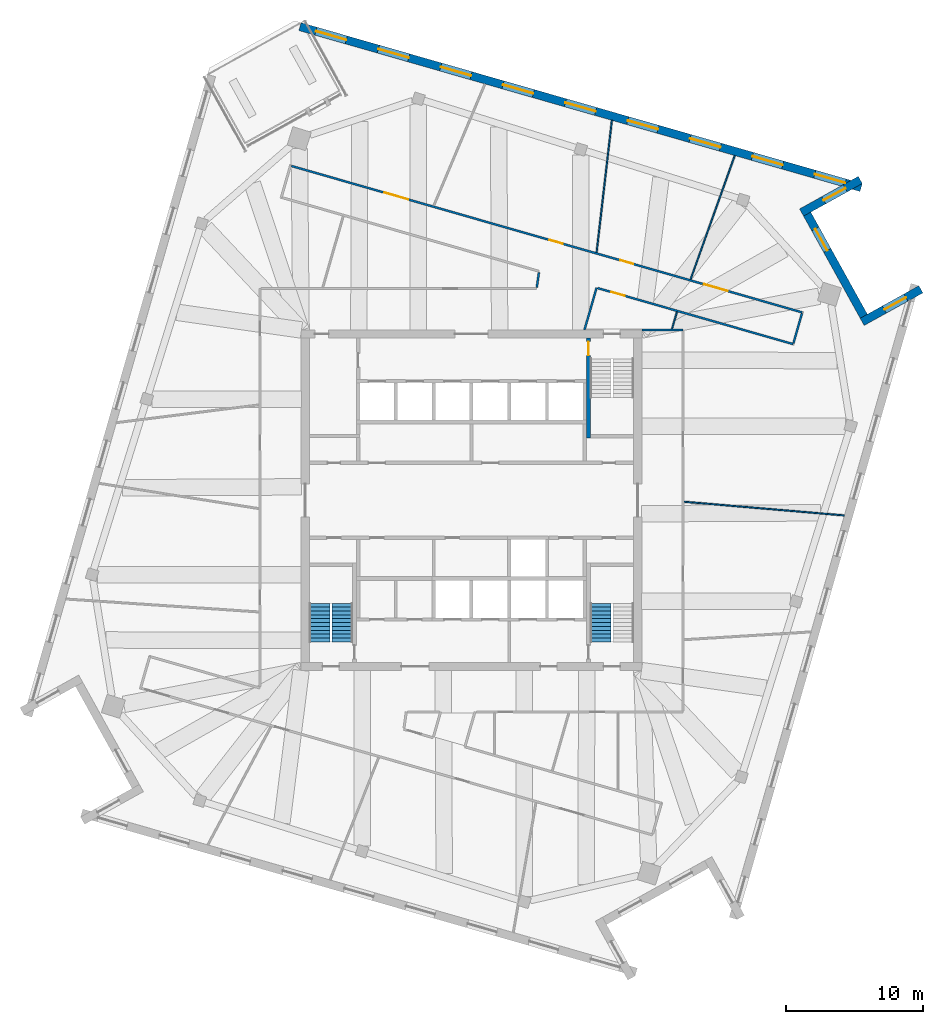
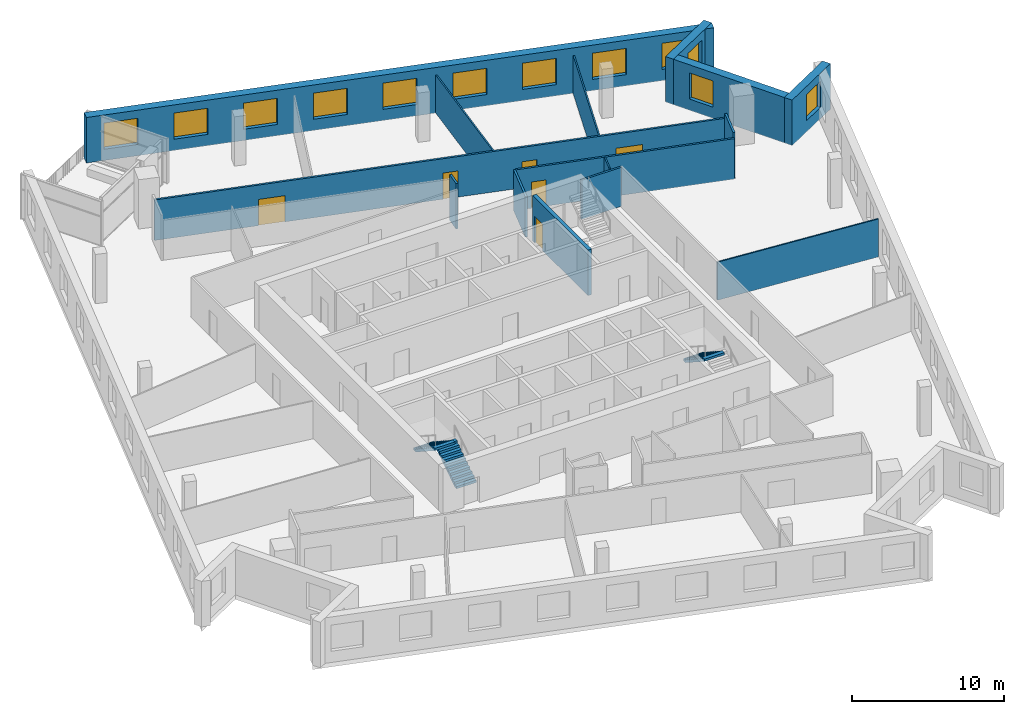
# One storey, part 11 of 15: 15 walls, 12 windows, 6 doors, 3 stair flights, 18 openings, 2 elements without a shape of their own.
"""IFC4 building model written with IfcOpenShell, lengths in metres."""

from ifc_helpers import new_model, si_unit, direction, frame, frame_2d, origin, place, context, subcontext, project, spatial, polyline, rectangle, outline, extrude, material, layer, layer_set, type_object, element, fill, aggregate, save


model = new_model("IFC4")

# Units and contexts
model_context = context("Model", 3, precision=1e-05, world=origin(), true_north=direction((0.0, 1.0)))
body_context = subcontext(model_context, "Body", "Model", "MODEL_VIEW")
ifc_project = project(units=[si_unit("LENGTHUNIT", "METRE"), si_unit("AREAUNIT", "SQUARE_METRE"), si_unit("VOLUMEUNIT", "CUBIC_METRE"), si_unit("PLANEANGLEUNIT", "RADIAN"), si_unit("MASSUNIT", "GRAM", prefix="KILO")], contexts=[model_context])

# Site, building, storey
site_placement = place(None, origin())
site = spatial("IfcSite", under=ifc_project, at=site_placement, CompositionType="ELEMENT")
building_placement = place(site_placement, origin())
building = spatial("IfcBuilding", under=site, at=building_placement, Name="Dilmun Exchange Tower", CompositionType="ELEMENT")
storey_placement = place(building_placement, frame((0.0, 0.0, 328.5)))
storey = spatial("IfcBuildingStorey", under=building, at=storey_placement, Name="L78", CompositionType="ELEMENT", Elevation=328.5)

# Wall, openings, doors
ifc_material_1 = material(Name="Corridor wall 150")
ifc_layer_1 = layer(ifc_material_1, 0.14990234375)
ifc_layer_set_1 = layer_set([ifc_layer_1], Name="Corridor wall 150")
wall_type_1 = type_object("IfcWallType", Name="Corridor wall 150", PredefinedType="PARTITIONING", material=ifc_layer_set_1)
wall_1_placement = place(storey_placement, frame((-13.102783203125, 24.334228515625, 0.0), z_axis=(0.0, 0.0, 1.0), x_axis=(0.961265813226, -0.275622996723, 0.0)))
wall_1 = element("IfcWall", 1, at=wall_1_placement, inside=storey, type_object=wall_type_1, Name="Corridor wall", PredefinedType="PARTITIONING", context=body_context, shape_type="SweptSolid", body=[
    extrude(rectangle(XDim=38.68017578125, YDim=0.14990234375, at=frame_2d((19.340087890625, 0.0))), origin(), (0.0, 0.0, 1.0), 3.25),
])
opening_1_placement = place(wall_1_placement, frame((7.050048828125, 0.0, 0.0)))
opening_1 = element("IfcOpeningElement", 2, at=opening_1_placement, cuts=wall_1, Name="Opening TF77-D05", PredefinedType="OPENING", context=body_context, shape_type="SweptSolid", body=[
    extrude(rectangle(XDim=1.800048828125, YDim=2.10009765625, at=frame_2d((0.89990234375, 1.050048828125))), frame((0.0, 0.0849609375, 0.0), z_axis=(0.0, -1.0, 0.0), x_axis=(1.0, 0.0, 0.0)), (0.0, 0.0, 1.0), 0.169921875),
])
opening_2_placement = place(wall_1_placement, frame((19.54736328125, 0.0, 0.0)))
opening_2 = element("IfcOpeningElement", 3, at=opening_2_placement, cuts=wall_1, Name="Opening TF77-D12", PredefinedType="OPENING", context=body_context, shape_type="SweptSolid", body=[
    extrude(rectangle(XDim=1.0, YDim=2.10009765625, at=frame_2d((0.5, 1.050048828125))), frame((0.0, 0.0849609375, 0.0), z_axis=(0.0, -1.0, 0.0), x_axis=(1.0, 0.0, 0.0)), (0.0, 0.0, 1.0), 0.169921875),
])
opening_3_placement = place(wall_1_placement, frame((24.892578125, 0.0, 0.0)))
opening_3 = element("IfcOpeningElement", 4, at=opening_3_placement, cuts=wall_1, Name="Opening TF77-D15", PredefinedType="OPENING", context=body_context, shape_type="SweptSolid", body=[
    extrude(rectangle(XDim=1.0, YDim=2.10009765625, at=frame_2d((0.5, 1.050048828125))), frame((0.0, 0.0849609375, 0.0), z_axis=(0.0, -1.0, 0.0), x_axis=(1.0, 0.0, 0.0)), (0.0, 0.0, 1.0), 0.169921875),
])
opening_4_placement = place(wall_1_placement, frame((31.242919921875, 0.0, 0.0)))
opening_4 = element("IfcOpeningElement", 5, at=opening_4_placement, cuts=wall_1, Name="Opening TF77-D19", PredefinedType="OPENING", context=body_context, shape_type="SweptSolid", body=[
    extrude(rectangle(XDim=1.800048828125, YDim=2.10009765625, at=frame_2d((0.89990234375, 1.050048828125))), frame((0.0, 0.0849609375, 0.0), z_axis=(0.0, -1.0, 0.0), x_axis=(1.0, 0.0, 0.0)), (0.0, 0.0, 1.0), 0.169921875),
])
ifc_material_2 = material(Name="Fire door 1000 x 2100")
door_type_1 = type_object("IfcDoorType", Name="Fire door 1000 x 2100", OperationType="NOTDEFINED", PredefinedType="DOOR", material=ifc_material_2)
door_1_placement = place(opening_2_placement, origin())
door_1 = element("IfcDoor", 6, at=door_1_placement, inside=storey, type_object=door_type_1, Name="Door TF77-D12", OperationType="SINGLE_SWING_RIGHT", OverallHeight=2.10009765625, OverallWidth=1.0, PredefinedType="DOOR", context=body_context, shape_type="SweptSolid", body=[
    extrude(rectangle(XDim=1.0, YDim=2.10009765625, at=frame_2d((0.5, 1.050048828125))), frame((0.0, 0.02490234375, 0.0), z_axis=(0.0, -1.0, 0.0), x_axis=(1.0, 0.0, 0.0)), (0.0, 0.0, 1.0), 0.050048828125),
])
fill(opening_2, door_1)
door_2_placement = place(opening_3_placement, origin())
door_2 = element("IfcDoor", 7, at=door_2_placement, inside=storey, type_object=door_type_1, Name="Door TF77-D15", OperationType="SINGLE_SWING_LEFT", OverallHeight=2.10009765625, OverallWidth=1.0, PredefinedType="DOOR", context=body_context, shape_type="SweptSolid", body=[
    extrude(rectangle(XDim=1.0, YDim=2.10009765625, at=frame_2d((0.5, 1.050048828125))), frame((0.0, 0.02490234375, 0.0), z_axis=(0.0, -1.0, 0.0), x_axis=(1.0, 0.0, 0.0)), (0.0, 0.0, 1.0), 0.050048828125),
])
fill(opening_3, door_2)
ifc_material_3 = material(Name="Fire door pair 1800 x 2100")
door_type_2 = type_object("IfcDoorType", Name="Fire door pair 1800 x 2100", OperationType="NOTDEFINED", PredefinedType="DOOR", material=ifc_material_3)
door_3_placement = place(opening_1_placement, origin())
door_3 = element("IfcDoor", 8, at=door_3_placement, inside=storey, type_object=door_type_2, Name="Door TF77-D05", OperationType="DOUBLE_DOOR_SINGLE_SWING", OverallHeight=2.10009765625, OverallWidth=1.800048828125, PredefinedType="DOOR", context=body_context, shape_type="SweptSolid", body=[
    extrude(rectangle(XDim=1.800048828125, YDim=2.10009765625, at=frame_2d((0.89990234375, 1.050048828125))), frame((0.0, 0.02490234375, 0.0), z_axis=(0.0, -1.0, 0.0), x_axis=(1.0, 0.0, 0.0)), (0.0, 0.0, 1.0), 0.050048828125),
])
fill(opening_1, door_3)
door_4_placement = place(opening_4_placement, origin())
door_4 = element("IfcDoor", 9, at=door_4_placement, inside=storey, type_object=door_type_2, Name="Door TF77-D19", OperationType="DOUBLE_DOOR_SINGLE_SWING", OverallHeight=2.10009765625, OverallWidth=1.800048828125, PredefinedType="DOOR", context=body_context, shape_type="SweptSolid", body=[
    extrude(rectangle(XDim=1.800048828125, YDim=2.10009765625, at=frame_2d((0.89990234375, 1.050048828125))), frame((0.0, 0.02490234375, 0.0), z_axis=(0.0, -1.0, 0.0), x_axis=(1.0, 0.0, 0.0)), (0.0, 0.0, 1.0), 0.050048828125),
])
fill(opening_4, door_4)

# Walls
wall_2_placement = place(storey_placement, frame((4.756103515625, 15.485595703125, 0.0), z_axis=(0.0, 0.0, 1.0), x_axis=(0.139602323869, 0.990207650531, 0.0)))
element("IfcWall", 10, at=wall_2_placement, inside=storey, type_object=wall_type_1, Name="Corridor wall", PredefinedType="PARTITIONING", context=body_context, shape_type="SweptSolid", body=[
    extrude(rectangle(XDim=1.108642578125, YDim=0.14990234375, at=frame_2d((0.55419921875, 0.0))), origin(), (0.0, 0.0, 1.0), 3.64990234375),
])
wall_3_placement = place(storey_placement, frame((8.22705078125, 12.39990234375, 0.0), z_axis=(0.0, 0.0, 1.0), x_axis=(0.275589573409, 0.961275396038, 0.0)))
element("IfcWall", 11, at=wall_3_placement, inside=storey, type_object=wall_type_1, Name="Corridor wall", PredefinedType="PARTITIONING", context=body_context, shape_type="SweptSolid", body=[
    extrude(rectangle(XDim=3.192626953125, YDim=0.14990234375, at=frame_2d((1.59619140625, 0.0))), origin(), (0.0, 0.0, 1.0), 3.25),
])

# Wall, opening, door
wall_4_placement = place(storey_placement, frame((9.17919921875, 15.4482421875, 0.0), z_axis=(0.0, 0.0, 1.0), x_axis=(0.961267886057, -0.275615767392, 0.0)))
wall_4 = element("IfcWall", 12, at=wall_4_placement, inside=storey, type_object=wall_type_1, Name="Corridor wall", PredefinedType="PARTITIONING", context=body_context, shape_type="SweptSolid", body=[
    extrude(rectangle(XDim=14.8115234375, YDim=0.14990234375, at=frame_2d((7.40576171875, 0.0))), origin(), (0.0, 0.0, 1.0), 3.25),
])
opening_5_placement = place(wall_4_placement, frame((1.050048828125, 0.0, 0.0)))
opening_5 = element("IfcOpeningElement", 13, at=opening_5_placement, cuts=wall_4, Name="Opening TF77-D14", PredefinedType="OPENING", context=body_context, shape_type="SweptSolid", body=[
    extrude(rectangle(XDim=1.0, YDim=2.10009765625, at=frame_2d((0.5, 1.050048828125))), frame((0.0, 0.0849609375, 0.0), z_axis=(0.0, -1.0, 0.0), x_axis=(1.0, 0.0, 0.0)), (0.0, 0.0, 1.0), 0.169921875),
])
door_5_placement = place(opening_5_placement, frame((1.0, 0.0, 0.0), z_axis=(0.0, 0.0, 1.0), x_axis=(-1.0, 0.0, 0.0)))
door_5 = element("IfcDoor", 14, at=door_5_placement, inside=storey, type_object=door_type_1, Name="Door TF77-D14", OperationType="SINGLE_SWING_RIGHT", OverallHeight=2.10009765625, OverallWidth=1.0, PredefinedType="DOOR", context=body_context, shape_type="SweptSolid", body=[
    extrude(rectangle(XDim=1.0, YDim=2.10009765625, at=frame_2d((0.5, 1.050048828125))), frame((0.0, 0.02490234375, 0.0), z_axis=(0.0, -1.0, 0.0), x_axis=(1.0, 0.0, 0.0)), (0.0, 0.0, 1.0), 0.050048828125),
])
fill(opening_5, door_5)

# Walls
wall_5_placement = place(storey_placement, frame((12.39990234375, 12.39990234375, 0.0), z_axis=(0.0, 0.0, 1.0), x_axis=(1.0, 0.0, 0.0)))
element("IfcWall", 15, at=wall_5_placement, inside=storey, type_object=wall_type_1, Name="Corridor wall", PredefinedType="PARTITIONING", context=body_context, shape_type="SweptSolid", body=[
    extrude(rectangle(XDim=3.0, YDim=0.14990234375, at=frame_2d((1.5, 0.0))), origin(), (0.0, 0.0, 1.0), 3.1298828125),
])
wall_6_placement = place(storey_placement, frame((23.437744140625, 11.43798828125, 0.0), z_axis=(0.0, 0.0, 1.0), x_axis=(0.275810058081, 0.96121215757, 0.0)))
element("IfcWall", 16, at=wall_6_placement, inside=storey, type_object=wall_type_1, Name="Corridor wall", PredefinedType="PARTITIONING", context=body_context, shape_type="SweptSolid", body=[
    extrude(rectangle(XDim=2.25, YDim=0.14990234375, at=frame_2d((1.125, 0.0))), origin(), (0.0, 0.0, 1.0), 3.64990234375),
])
ifc_material_4 = material(Name="Partition 100")
ifc_layer_2 = layer(ifc_material_4, 0.10009765625)
ifc_layer_set_2 = layer_set([ifc_layer_2], Name="Partition 100")
wall_type_2 = type_object("IfcWallType", Name="Partition 100", PredefinedType="PARTITIONING", material=ifc_layer_set_2)
wall_7_placement = place(storey_placement, frame((9.110595703125, 18.0517578125, 0.0), z_axis=(0.0, 0.0, 1.0), x_axis=(0.114972177947, 0.99336871216, 0.0)))
element("IfcWall", 17, at=wall_7_placement, inside=storey, type_object=wall_type_2, Name="Partition", PredefinedType="PARTITIONING", context=body_context, shape_type="SweptSolid", body=[
    extrude(rectangle(XDim=9.663818359375, YDim=0.10009765625, at=frame_2d((4.83203125, 0.0))), origin(), (0.0, 0.0, 1.0), 3.050048828125),
])
wall_8_placement = place(storey_placement, frame((14.6044921875, 12.48876953125, 0.0), z_axis=(0.0, 0.0, 1.0), x_axis=(0.275303052491, 0.96135749297, 0.0)))
element("IfcWall", 18, at=wall_8_placement, inside=storey, type_object=wall_type_2, Name="Partition", PredefinedType="PARTITIONING", context=body_context, shape_type="SweptSolid", body=[
    extrude(rectangle(XDim=1.2744140625, YDim=0.10009765625, at=frame_2d((0.63720703125, 0.0))), origin(), (0.0, 0.0, 1.0), 3.25),
])
wall_9_placement = place(storey_placement, frame((15.479248046875, -0.106689453125, 0.0), z_axis=(0.0, 0.0, 1.0), x_axis=(0.996382096483, -0.084986574283, 0.0)))
element("IfcWall", 19, at=wall_9_placement, inside=storey, type_object=wall_type_2, Name="Partition", PredefinedType="PARTITIONING", context=body_context, shape_type="SweptSolid", body=[
    extrude(rectangle(XDim=11.709228515625, YDim=0.10009765625, at=frame_2d((5.8544921875, 0.0))), origin(), (0.0, 0.0, 1.0), 3.050048828125),
])
wall_10_placement = place(storey_placement, frame((15.9462890625, 16.085693359375, 0.0), z_axis=(0.0, 0.0, 1.0), x_axis=(0.336868591799, 0.941551672432, 0.0)))
element("IfcWall", 20, at=wall_10_placement, inside=storey, type_object=wall_type_2, Name="Partition", PredefinedType="PARTITIONING", context=body_context, shape_type="SweptSolid", body=[
    extrude(rectangle(XDim=9.56005859375, YDim=0.10009765625, at=frame_2d((4.780029296875, 0.0))), origin(), (0.0, 0.0, 1.0), 3.050048828125),
])

# Wall, opening, window
ifc_material_5 = material(Name="Precast concrete C50/60", Category="concrete")
ifc_layer_3 = layer(ifc_material_5, 0.60009765625)
ifc_layer_set_3 = layer_set([ifc_layer_3], Name="Precast concrete C50/60")
wall_type_3 = type_object("IfcWallType", Name="Precast stone-clad wall 600", PredefinedType="STANDARD", material=ifc_layer_set_3)
wall_11_placement = place(storey_placement, frame((32.7119140625, 15.355712890625, 0.0), z_axis=(0.0, 0.0, 1.0), x_axis=(-0.874609472896, -0.48482808285, 0.0)))
wall_11 = element("IfcWall", 21, at=wall_11_placement, inside=storey, type_object=wall_type_3, Name="Facade wall L78-12", PredefinedType="STANDARD", context=body_context, shape_type="SweptSolid", body=[
    extrude(rectangle(XDim=4.885498046875, YDim=0.60009765625, at=frame_2d((2.44287109375, 0.0))), origin(), (0.0, 0.0, 1.0), 3.64990234375),
])
opening_6_placement = place(wall_11_placement, frame((1.242919921875, 0.0, 0.89990234375)))
opening_6 = element("IfcOpeningElement", 22, at=opening_6_placement, cuts=wall_11, Name="Opening W180-210", PredefinedType="OPENING", context=body_context, shape_type="SweptSolid", body=[
    extrude(rectangle(XDim=1.800048828125, YDim=2.10009765625, at=frame_2d((0.89990234375, 1.050048828125))), frame((0.0, 0.31005859375, 0.0), z_axis=(0.0, -1.0, 0.0), x_axis=(1.0, 0.0, 0.0)), (0.0, 0.0, 1.0), 0.6201171875),
])
ifc_material_6 = material(Name="Clear low-emissivity glass in aluminium frame", Category="aluminium")
window_type_1 = type_object("IfcWindowType", Name="Punched window 1800 x 2100", PartitioningType="DOUBLE_PANEL_VERTICAL", PredefinedType="WINDOW", material=ifc_material_6)
window_1_placement = place(opening_6_placement, origin())
window_1 = element("IfcWindow", 23, at=window_1_placement, inside=storey, type_object=window_type_1, Name="Window 13.1", OverallHeight=2.10009765625, OverallWidth=1.800048828125, PartitioningType="SINGLE_PANEL", PredefinedType="WINDOW", context=body_context, shape_type="SweptSolid", body=[
    extrude(rectangle(XDim=1.800048828125, YDim=2.10009765625, at=frame_2d((0.89990234375, 1.050048828125))), frame((0.0, 0.030029296875, 0.0), z_axis=(0.0, -1.0, 0.0), x_axis=(1.0, 0.0, 0.0)), (0.0, 0.0, 1.0), 0.06005859375),
])
fill(opening_6, window_1)

wall_12_placement = place(storey_placement, frame((28.555908203125, 13.39501953125, 0.0), z_axis=(0.0, 0.0, 1.0), x_axis=(-0.48481597855, 0.874616182644, 0.0)))
wall_12 = element("IfcWall", 24, at=wall_12_placement, inside=storey, type_object=wall_type_3, Name="Facade wall L78-13", PredefinedType="STANDARD", context=body_context, shape_type="SweptSolid", body=[
    extrude(rectangle(XDim=8.499755859375, YDim=0.60009765625, at=frame_2d((4.25, 0.0))), origin(), (0.0, 0.0, 1.0), 3.64990234375),
])
opening_7_placement = place(wall_12_placement, frame((5.47509765625, 0.0, 0.89990234375)))
opening_7 = element("IfcOpeningElement", 25, at=opening_7_placement, cuts=wall_12, Name="Opening W180-210", PredefinedType="OPENING", context=body_context, shape_type="SweptSolid", body=[
    extrude(rectangle(XDim=1.800048828125, YDim=2.10009765625, at=frame_2d((0.89990234375, 1.050048828125))), frame((0.0, 0.31005859375, 0.0), z_axis=(0.0, -1.0, 0.0), x_axis=(1.0, 0.0, 0.0)), (0.0, 0.0, 1.0), 0.6201171875),
])
window_2_placement = place(opening_7_placement, origin())
window_2 = element("IfcWindow", 26, at=window_2_placement, inside=storey, type_object=window_type_1, Name="Window 14.2", OverallHeight=2.10009765625, OverallWidth=1.800048828125, PartitioningType="SINGLE_PANEL", PredefinedType="WINDOW", context=body_context, shape_type="SweptSolid", body=[
    extrude(rectangle(XDim=1.800048828125, YDim=2.10009765625, at=frame_2d((0.89990234375, 1.050048828125))), frame((0.0, 0.030029296875, 0.0), z_axis=(0.0, -1.0, 0.0), x_axis=(1.0, 0.0, 0.0)), (0.0, 0.0, 1.0), 0.06005859375),
])
fill(opening_7, window_2)

wall_13_placement = place(storey_placement, frame((24.027099609375, 20.9462890625, 0.0), z_axis=(0.0, 0.0, 1.0), x_axis=(0.874642406439, 0.484768667364, 0.0)))
wall_13 = element("IfcWall", 27, at=wall_13_placement, inside=storey, type_object=wall_type_3, Name="Facade wall L78-14", PredefinedType="STANDARD", context=body_context, shape_type="SweptSolid", body=[
    extrude(rectangle(XDim=4.8857421875, YDim=0.60009765625, at=frame_2d((2.44287109375, 0.0))), origin(), (0.0, 0.0, 1.0), 3.64990234375),
])
opening_8_placement = place(wall_13_placement, frame((1.8427734375, 0.0, 0.89990234375)))
opening_8 = element("IfcOpeningElement", 28, at=opening_8_placement, cuts=wall_13, Name="Opening W180-210", PredefinedType="OPENING", context=body_context, shape_type="SweptSolid", body=[
    extrude(rectangle(XDim=1.800048828125, YDim=2.10009765625, at=frame_2d((0.89990234375, 1.050048828125))), frame((0.0, 0.31005859375, 0.0), z_axis=(0.0, -1.0, 0.0), x_axis=(1.0, 0.0, 0.0)), (0.0, 0.0, 1.0), 0.6201171875),
])
window_3_placement = place(opening_8_placement, origin())
window_3 = element("IfcWindow", 29, at=window_3_placement, inside=storey, type_object=window_type_1, Name="Window 15.1", OverallHeight=2.10009765625, OverallWidth=1.800048828125, PartitioningType="SINGLE_PANEL", PredefinedType="WINDOW", context=body_context, shape_type="SweptSolid", body=[
    extrude(rectangle(XDim=1.800048828125, YDim=2.10009765625, at=frame_2d((0.89990234375, 1.050048828125))), frame((0.0, 0.030029296875, 0.0), z_axis=(0.0, -1.0, 0.0), x_axis=(1.0, 0.0, 0.0)), (0.0, 0.0, 1.0), 0.06005859375),
])
fill(opening_8, window_3)

# Wall, openings, windows
wall_14_placement = place(storey_placement, frame((28.36279296875, 22.763916015625, 0.0), z_axis=(0.0, 0.0, 1.0), x_axis=(-0.961261801459, 0.275636987823, 0.0)))
wall_14 = element("IfcWall", 30, at=wall_14_placement, inside=storey, type_object=wall_type_3, Name="Facade wall L78-15", PredefinedType="STANDARD", context=body_context, shape_type="SweptSolid", body=[
    extrude(rectangle(XDim=42.489501953125, YDim=0.60009765625, at=frame_2d((21.24462890625, 0.0))), origin(), (0.0, 0.0, 1.0), 3.64990234375),
])
opening_9_placement = place(wall_14_placement, frame((1.21044921875, 0.0, 0.89990234375)))
opening_9 = element("IfcOpeningElement", 31, at=opening_9_placement, cuts=wall_14, Name="Opening W230-210", PredefinedType="OPENING", context=body_context, shape_type="SweptSolid", body=[
    extrude(rectangle(XDim=2.300048828125, YDim=2.10009765625, at=frame_2d((1.14990234375, 1.050048828125))), frame((0.0, 0.31005859375, 0.0), z_axis=(0.0, -1.0, 0.0), x_axis=(1.0, 0.0, 0.0)), (0.0, 0.0, 1.0), 0.6201171875),
])
opening_10_placement = place(wall_14_placement, frame((5.931640625, 0.0, 0.89990234375)))
opening_10 = element("IfcOpeningElement", 32, at=opening_10_placement, cuts=wall_14, Name="Opening W230-210", PredefinedType="OPENING", context=body_context, shape_type="SweptSolid", body=[
    extrude(rectangle(XDim=2.300048828125, YDim=2.10009765625, at=frame_2d((1.14990234375, 1.050048828125))), frame((0.0, 0.31005859375, 0.0), z_axis=(0.0, -1.0, 0.0), x_axis=(1.0, 0.0, 0.0)), (0.0, 0.0, 1.0), 0.6201171875),
])
opening_11_placement = place(wall_14_placement, frame((10.652587890625, 0.0, 0.89990234375)))
opening_11 = element("IfcOpeningElement", 33, at=opening_11_placement, cuts=wall_14, Name="Opening W230-210", PredefinedType="OPENING", context=body_context, shape_type="SweptSolid", body=[
    extrude(rectangle(XDim=2.300048828125, YDim=2.10009765625, at=frame_2d((1.14990234375, 1.050048828125))), frame((0.0, 0.31005859375, 0.0), z_axis=(0.0, -1.0, 0.0), x_axis=(1.0, 0.0, 0.0)), (0.0, 0.0, 1.0), 0.6201171875),
])
opening_12_placement = place(wall_14_placement, frame((15.373779296875, 0.0, 0.89990234375)))
opening_12 = element("IfcOpeningElement", 34, at=opening_12_placement, cuts=wall_14, Name="Opening W230-210", PredefinedType="OPENING", context=body_context, shape_type="SweptSolid", body=[
    extrude(rectangle(XDim=2.300048828125, YDim=2.10009765625, at=frame_2d((1.14990234375, 1.050048828125))), frame((0.0, 0.31005859375, 0.0), z_axis=(0.0, -1.0, 0.0), x_axis=(1.0, 0.0, 0.0)), (0.0, 0.0, 1.0), 0.6201171875),
])
opening_13_placement = place(wall_14_placement, frame((20.0947265625, 0.0, 0.89990234375)))
opening_13 = element("IfcOpeningElement", 35, at=opening_13_placement, cuts=wall_14, Name="Opening W230-210", PredefinedType="OPENING", context=body_context, shape_type="SweptSolid", body=[
    extrude(rectangle(XDim=2.300048828125, YDim=2.10009765625, at=frame_2d((1.14990234375, 1.050048828125))), frame((0.0, 0.31005859375, 0.0), z_axis=(0.0, -1.0, 0.0), x_axis=(1.0, 0.0, 0.0)), (0.0, 0.0, 1.0), 0.6201171875),
])
opening_14_placement = place(wall_14_placement, frame((24.81591796875, 0.0, 0.89990234375)))
opening_14 = element("IfcOpeningElement", 36, at=opening_14_placement, cuts=wall_14, Name="Opening W230-210", PredefinedType="OPENING", context=body_context, shape_type="SweptSolid", body=[
    extrude(rectangle(XDim=2.300048828125, YDim=2.10009765625, at=frame_2d((1.14990234375, 1.050048828125))), frame((0.0, 0.31005859375, 0.0), z_axis=(0.0, -1.0, 0.0), x_axis=(1.0, 0.0, 0.0)), (0.0, 0.0, 1.0), 0.6201171875),
])
opening_15_placement = place(wall_14_placement, frame((29.536865234375, 0.0, 0.89990234375)))
opening_15 = element("IfcOpeningElement", 37, at=opening_15_placement, cuts=wall_14, Name="Opening W230-210", PredefinedType="OPENING", context=body_context, shape_type="SweptSolid", body=[
    extrude(rectangle(XDim=2.300048828125, YDim=2.10009765625, at=frame_2d((1.14990234375, 1.050048828125))), frame((0.0, 0.31005859375, 0.0), z_axis=(0.0, -1.0, 0.0), x_axis=(1.0, 0.0, 0.0)), (0.0, 0.0, 1.0), 0.6201171875),
])
opening_16_placement = place(wall_14_placement, frame((34.258056640625, 0.0, 0.89990234375)))
opening_16 = element("IfcOpeningElement", 38, at=opening_16_placement, cuts=wall_14, Name="Opening W230-210", PredefinedType="OPENING", context=body_context, shape_type="SweptSolid", body=[
    extrude(rectangle(XDim=2.300048828125, YDim=2.10009765625, at=frame_2d((1.14990234375, 1.050048828125))), frame((0.0, 0.31005859375, 0.0), z_axis=(0.0, -1.0, 0.0), x_axis=(1.0, 0.0, 0.0)), (0.0, 0.0, 1.0), 0.6201171875),
])
opening_17_placement = place(wall_14_placement, frame((38.97900390625, 0.0, 0.89990234375)))
opening_17 = element("IfcOpeningElement", 39, at=opening_17_placement, cuts=wall_14, Name="Opening W230-210", PredefinedType="OPENING", context=body_context, shape_type="SweptSolid", body=[
    extrude(rectangle(XDim=2.300048828125, YDim=2.10009765625, at=frame_2d((1.14990234375, 1.050048828125))), frame((0.0, 0.31005859375, 0.0), z_axis=(0.0, -1.0, 0.0), x_axis=(1.0, 0.0, 0.0)), (0.0, 0.0, 1.0), 0.6201171875),
])
window_type_2 = type_object("IfcWindowType", Name="Punched window 2300 x 2100", PartitioningType="DOUBLE_PANEL_VERTICAL", PredefinedType="WINDOW", material=ifc_material_6)
window_4_placement = place(opening_9_placement, origin())
window_4 = element("IfcWindow", 40, at=window_4_placement, inside=storey, type_object=window_type_2, Name="Window 16.1", OverallHeight=2.10009765625, OverallWidth=2.300048828125, PartitioningType="SINGLE_PANEL", PredefinedType="WINDOW", context=body_context, shape_type="SweptSolid", body=[
    extrude(rectangle(XDim=2.300048828125, YDim=2.10009765625, at=frame_2d((1.14990234375, 1.050048828125))), frame((0.0, 0.030029296875, 0.0), z_axis=(0.0, -1.0, 0.0), x_axis=(1.0, 0.0, 0.0)), (0.0, 0.0, 1.0), 0.06005859375),
])
fill(opening_9, window_4)
window_5_placement = place(opening_10_placement, origin())
window_5 = element("IfcWindow", 41, at=window_5_placement, inside=storey, type_object=window_type_2, Name="Window 16.2", OverallHeight=2.10009765625, OverallWidth=2.300048828125, PartitioningType="SINGLE_PANEL", PredefinedType="WINDOW", context=body_context, shape_type="SweptSolid", body=[
    extrude(rectangle(XDim=2.300048828125, YDim=2.10009765625, at=frame_2d((1.14990234375, 1.050048828125))), frame((0.0, 0.030029296875, 0.0), z_axis=(0.0, -1.0, 0.0), x_axis=(1.0, 0.0, 0.0)), (0.0, 0.0, 1.0), 0.06005859375),
])
fill(opening_10, window_5)
window_6_placement = place(opening_11_placement, origin())
window_6 = element("IfcWindow", 42, at=window_6_placement, inside=storey, type_object=window_type_2, Name="Window 16.3", OverallHeight=2.10009765625, OverallWidth=2.300048828125, PartitioningType="SINGLE_PANEL", PredefinedType="WINDOW", context=body_context, shape_type="SweptSolid", body=[
    extrude(rectangle(XDim=2.300048828125, YDim=2.10009765625, at=frame_2d((1.14990234375, 1.050048828125))), frame((0.0, 0.030029296875, 0.0), z_axis=(0.0, -1.0, 0.0), x_axis=(1.0, 0.0, 0.0)), (0.0, 0.0, 1.0), 0.06005859375),
])
fill(opening_11, window_6)
window_7_placement = place(opening_12_placement, origin())
window_7 = element("IfcWindow", 43, at=window_7_placement, inside=storey, type_object=window_type_2, Name="Window 16.4", OverallHeight=2.10009765625, OverallWidth=2.300048828125, PartitioningType="SINGLE_PANEL", PredefinedType="WINDOW", context=body_context, shape_type="SweptSolid", body=[
    extrude(rectangle(XDim=2.300048828125, YDim=2.10009765625, at=frame_2d((1.14990234375, 1.050048828125))), frame((0.0, 0.030029296875, 0.0), z_axis=(0.0, -1.0, 0.0), x_axis=(1.0, 0.0, 0.0)), (0.0, 0.0, 1.0), 0.06005859375),
])
fill(opening_12, window_7)
window_8_placement = place(opening_13_placement, origin())
window_8 = element("IfcWindow", 44, at=window_8_placement, inside=storey, type_object=window_type_2, Name="Window 16.5", OverallHeight=2.10009765625, OverallWidth=2.300048828125, PartitioningType="SINGLE_PANEL", PredefinedType="WINDOW", context=body_context, shape_type="SweptSolid", body=[
    extrude(rectangle(XDim=2.300048828125, YDim=2.10009765625, at=frame_2d((1.14990234375, 1.050048828125))), frame((0.0, 0.030029296875, 0.0), z_axis=(0.0, -1.0, 0.0), x_axis=(1.0, 0.0, 0.0)), (0.0, 0.0, 1.0), 0.06005859375),
])
fill(opening_13, window_8)
window_9_placement = place(opening_14_placement, origin())
window_9 = element("IfcWindow", 45, at=window_9_placement, inside=storey, type_object=window_type_2, Name="Window 16.6", OverallHeight=2.10009765625, OverallWidth=2.300048828125, PartitioningType="SINGLE_PANEL", PredefinedType="WINDOW", context=body_context, shape_type="SweptSolid", body=[
    extrude(rectangle(XDim=2.300048828125, YDim=2.10009765625, at=frame_2d((1.14990234375, 1.050048828125))), frame((0.0, 0.030029296875, 0.0), z_axis=(0.0, -1.0, 0.0), x_axis=(1.0, 0.0, 0.0)), (0.0, 0.0, 1.0), 0.06005859375),
])
fill(opening_14, window_9)
window_10_placement = place(opening_15_placement, origin())
window_10 = element("IfcWindow", 46, at=window_10_placement, inside=storey, type_object=window_type_2, Name="Window 16.7", OverallHeight=2.10009765625, OverallWidth=2.300048828125, PartitioningType="SINGLE_PANEL", PredefinedType="WINDOW", context=body_context, shape_type="SweptSolid", body=[
    extrude(rectangle(XDim=2.300048828125, YDim=2.10009765625, at=frame_2d((1.14990234375, 1.050048828125))), frame((0.0, 0.030029296875, 0.0), z_axis=(0.0, -1.0, 0.0), x_axis=(1.0, 0.0, 0.0)), (0.0, 0.0, 1.0), 0.06005859375),
])
fill(opening_15, window_10)
window_11_placement = place(opening_16_placement, origin())
window_11 = element("IfcWindow", 47, at=window_11_placement, inside=storey, type_object=window_type_2, Name="Window 16.8", OverallHeight=2.10009765625, OverallWidth=2.300048828125, PartitioningType="SINGLE_PANEL", PredefinedType="WINDOW", context=body_context, shape_type="SweptSolid", body=[
    extrude(rectangle(XDim=2.300048828125, YDim=2.10009765625, at=frame_2d((1.14990234375, 1.050048828125))), frame((0.0, 0.030029296875, 0.0), z_axis=(0.0, -1.0, 0.0), x_axis=(1.0, 0.0, 0.0)), (0.0, 0.0, 1.0), 0.06005859375),
])
fill(opening_16, window_11)
window_12_placement = place(opening_17_placement, origin())
window_12 = element("IfcWindow", 48, at=window_12_placement, inside=storey, type_object=window_type_2, Name="Window 16.9", OverallHeight=2.10009765625, OverallWidth=2.300048828125, PartitioningType="SINGLE_PANEL", PredefinedType="WINDOW", context=body_context, shape_type="SweptSolid", body=[
    extrude(rectangle(XDim=2.300048828125, YDim=2.10009765625, at=frame_2d((1.14990234375, 1.050048828125))), frame((0.0, 0.030029296875, 0.0), z_axis=(0.0, -1.0, 0.0), x_axis=(1.0, 0.0, 0.0)), (0.0, 0.0, 1.0), 0.06005859375),
])
fill(opening_17, window_12)

# Wall, opening, door
ifc_material_7 = material(Name="Concrete C40/50", Category="concrete")
ifc_layer_4 = layer(ifc_material_7, 0.27490234375)
ifc_layer_set_4 = layer_set([ifc_layer_4], Name="Concrete C40/50")
wall_type_4 = type_object("IfcWallType", Name="Stair wall 275", PredefinedType="SOLIDWALL", material=ifc_layer_set_4)
wall_15_placement = place(storey_placement, frame((8.512451171875, 4.550048828125, 0.0), z_axis=(0.0, 0.0, 1.0), x_axis=(0.0, 1.0, 0.0)))
wall_15 = element("IfcWall", 49, at=wall_15_placement, inside=storey, type_object=wall_type_4, Name="L78 ST1 wall to lift block", PredefinedType="SOLIDWALL", context=body_context, shape_type="SweptSolid", body=[
    extrude(rectangle(XDim=7.25, YDim=0.27490234375, at=frame_2d((3.625, 0.0))), origin(), (0.0, 0.0, 1.0), 3.64990234375),
])
opening_18_placement = place(wall_15_placement, frame((6.0, 0.0, 0.0)))
opening_18 = element("IfcOpeningElement", 50, at=opening_18_placement, cuts=wall_15, Name="Opening CD4", PredefinedType="OPENING", context=body_context, shape_type="SweptSolid", body=[
    extrude(rectangle(XDim=1.0, YDim=2.10009765625, at=frame_2d((0.5, 1.050048828125))), frame((0.0, 0.1474609375, 0.0), z_axis=(0.0, -1.0, 0.0), x_axis=(1.0, 0.0, 0.0)), (0.0, 0.0, 1.0), 0.294921875),
])
ifc_material_8 = material(Name="Fire-rated steel door set", Category="steel")
door_type_3 = type_object("IfcDoorType", Name="Core room door 1000x2100", OperationType="SINGLE_SWING_LEFT", PredefinedType="DOOR", material=ifc_material_8)
door_6_placement = place(opening_18_placement, origin())
door_6 = element("IfcDoor", 51, at=door_6_placement, inside=storey, type_object=door_type_3, Name="L78 door ST1 from lobby", OperationType="SINGLE_SWING_LEFT", OverallHeight=2.10009765625, OverallWidth=1.0, PredefinedType="DOOR", context=body_context, shape_type="SweptSolid", body=[
    extrude(rectangle(XDim=1.0, YDim=2.10009765625, at=frame_2d((0.5, 1.050048828125))), frame((0.0, 0.02490234375, 0.0), z_axis=(0.0, -1.0, 0.0), x_axis=(1.0, 0.0, 0.0)), (0.0, 0.0, 1.0), 0.050048828125),
])
fill(opening_18, door_6)

# Stair, stair flights
stair_type = type_object("IfcStairType", Name="Exit stair 1500 half-turn", PredefinedType="HALF_TURN_STAIR", material=ifc_material_7)
stair_1_placement = place(storey_placement, origin())
stair_1 = element("IfcStair", 52, at=stair_1_placement, inside=storey, type_object=stair_type, Name="L78 Protected exit stair ST2", PredefinedType="HALF_TURN_STAIR")
stair_flight_type = type_object("IfcStairFlightType", Name="Exit stair flight 1500", PredefinedType="STRAIGHT", material=ifc_material_7)
stair_flight_1_placement = place(storey_placement, frame((-9.39990234375, -10.300048828125, 0.0), z_axis=(0.0, 0.0, 1.0), x_axis=(0.0, 1.0, 0.0)))
stair_flight_1 = element("IfcStairFlight", 53, at=stair_flight_1_placement, type_object=stair_flight_type, Name="ST2 flight 1", NumberOfRisers=11, NumberOfTreads=10, PredefinedType="STRAIGHT", RiserHeight=0.181818182, TreadLength=0.28, context=body_context, shape_type="SweptSolid", body=[
    extrude(outline(polyline([(0.0, 0.0), (0.0, 0.181884765625), (0.280029296875, 0.181884765625), (0.280029296875, 0.363525390625), (0.56005859375, 0.363525390625), (0.56005859375, 0.54541015625), (0.840087890625, 0.54541015625), (0.840087890625, 0.727294921875), (1.1201171875, 0.727294921875), (1.1201171875, 0.9091796875), (1.39990234375, 0.9091796875), (1.39990234375, 1.0908203125), (1.679931640625, 1.0908203125), (1.679931640625, 1.272705078125), (1.9599609375, 1.272705078125), (1.9599609375, 1.45458984375), (2.239990234375, 1.45458984375), (2.239990234375, 1.636474609375), (2.52001953125, 1.636474609375), (2.52001953125, 1.818115234375), (2.800048828125, 1.818115234375), (2.800048828125, 2.0), (2.800048828125, 1.639404296875), (0.275146484375, 0.0), (0.0, 0.0)])), frame((0.0, 0.75, 0.0), z_axis=(0.0, -1.0, 0.0), x_axis=(1.0, 0.0, 0.0)), (0.0, 0.0, 1.0), 1.5),
])
stair_flight_2_placement = place(storey_placement, frame((-11.050048828125, -7.5, 2.0), z_axis=(0.0, 0.0, 1.0), x_axis=(0.0, -1.0, 0.0)))
stair_flight_2 = element("IfcStairFlight", 54, at=stair_flight_2_placement, type_object=stair_flight_type, Name="ST2 flight 2", NumberOfRisers=11, NumberOfTreads=10, PredefinedType="STRAIGHT", RiserHeight=0.181818182, TreadLength=0.28, context=body_context, shape_type="SweptSolid", body=[
    extrude(outline(polyline([(0.0, 0.0), (0.0, 0.181884765625), (0.280029296875, 0.181884765625), (0.280029296875, 0.363525390625), (0.56005859375, 0.363525390625), (0.56005859375, 0.54541015625), (0.840087890625, 0.54541015625), (0.840087890625, 0.727294921875), (1.1201171875, 0.727294921875), (1.1201171875, 0.9091796875), (1.39990234375, 0.9091796875), (1.39990234375, 1.0908203125), (1.679931640625, 1.0908203125), (1.679931640625, 1.272705078125), (1.9599609375, 1.272705078125), (1.9599609375, 1.45458984375), (2.239990234375, 1.45458984375), (2.239990234375, 1.636474609375), (2.52001953125, 1.636474609375), (2.52001953125, 1.818115234375), (2.800048828125, 1.818115234375), (2.800048828125, 2.0), (2.800048828125, 1.639404296875), (0.275146484375, 0.0), (0.0, 0.0)])), frame((0.0, 0.75, 0.0), z_axis=(0.0, -1.0, 0.0), x_axis=(1.0, 0.0, 0.0)), (0.0, 0.0, 1.0), 1.5),
])
aggregate(stair_1, [stair_flight_1, stair_flight_2])

# Stair, stair flight
stair_2_placement = place(storey_placement, origin())
stair_2 = element("IfcStair", 55, at=stair_2_placement, inside=storey, type_object=stair_type, Name="L78 Protected exit stair ST3", PredefinedType="HALF_TURN_STAIR")
stair_flight_3_placement = place(storey_placement, frame((9.39990234375, -7.5, 2.0), z_axis=(0.0, 0.0, 1.0), x_axis=(0.0, -1.0, 0.0)))
stair_flight_3 = element("IfcStairFlight", 56, at=stair_flight_3_placement, type_object=stair_flight_type, Name="ST3 flight 2", NumberOfRisers=11, NumberOfTreads=10, PredefinedType="STRAIGHT", RiserHeight=0.181818182, TreadLength=0.28, context=body_context, shape_type="SweptSolid", body=[
    extrude(outline(polyline([(0.0, 0.0), (0.0, 0.181884765625), (0.280029296875, 0.181884765625), (0.280029296875, 0.363525390625), (0.56005859375, 0.363525390625), (0.56005859375, 0.54541015625), (0.840087890625, 0.54541015625), (0.840087890625, 0.727294921875), (1.1201171875, 0.727294921875), (1.1201171875, 0.9091796875), (1.39990234375, 0.9091796875), (1.39990234375, 1.0908203125), (1.679931640625, 1.0908203125), (1.679931640625, 1.272705078125), (1.9599609375, 1.272705078125), (1.9599609375, 1.45458984375), (2.239990234375, 1.45458984375), (2.239990234375, 1.636474609375), (2.52001953125, 1.636474609375), (2.52001953125, 1.818115234375), (2.800048828125, 1.818115234375), (2.800048828125, 2.0), (2.800048828125, 1.639404296875), (0.275146484375, 0.0), (0.0, 0.0)])), frame((0.0, 0.75, 0.0), z_axis=(0.0, -1.0, 0.0), x_axis=(1.0, 0.0, 0.0)), (0.0, 0.0, 1.0), 1.5),
])
aggregate(stair_2, [stair_flight_3])

save(model, "model.ifc")
